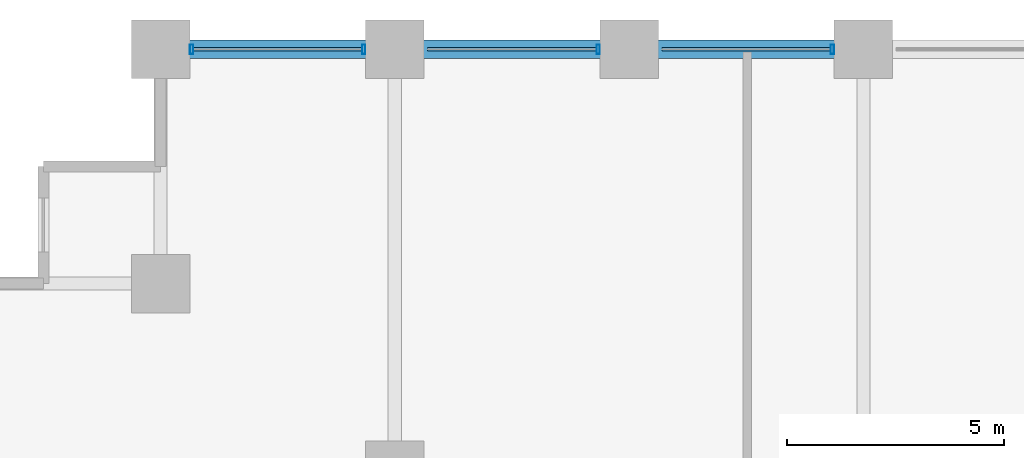
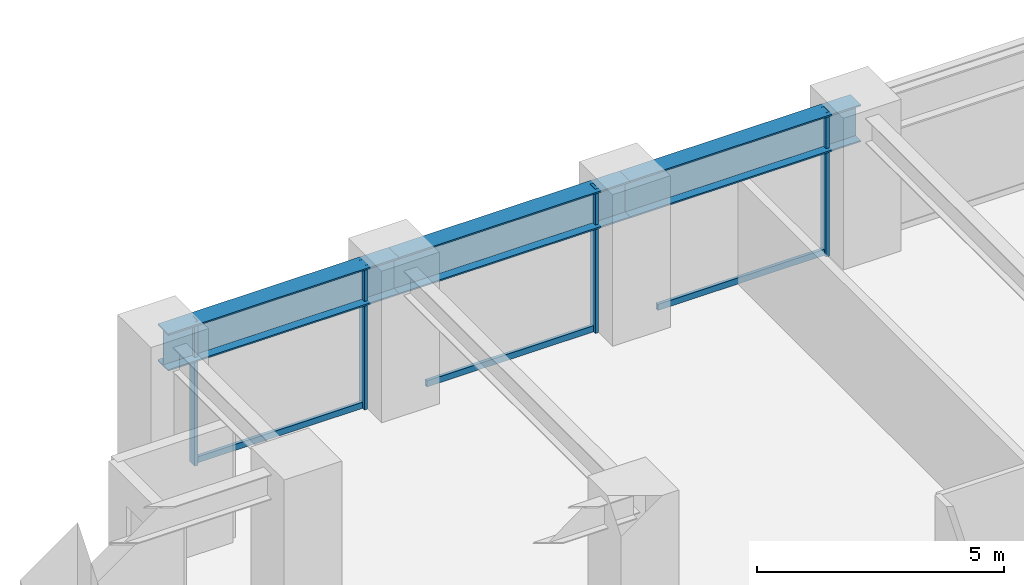
# One storey, part 12 of 25: 7 members, 3 beams, 1 element without a shape of its own.
"""IFC4 building model written with IfcOpenShell, lengths in metres."""

from ifc_helpers import new_model, si_unit, direction, frame, origin, origin_2d, place, context, subcontext, project, spatial, hollow_rectangle, i_section, extrude, material, layer, layer_set, material_profile, profile_set, type_object, element, aggregate, save


model = new_model("IFC4")

# Units and contexts
model_context = context("Model", 3, precision=1e-05, world=origin(), true_north=direction((0.0, 1.0)))
body_context = subcontext(model_context, "Body", "Model", "MODEL_VIEW")
ifc_project = project(units=[si_unit("LENGTHUNIT", "METRE"), si_unit("AREAUNIT", "SQUARE_METRE"), si_unit("VOLUMEUNIT", "CUBIC_METRE"), si_unit("PLANEANGLEUNIT", "RADIAN"), si_unit("MASSUNIT", "GRAM", prefix="KILO")], contexts=[model_context])

# Site, building, storey
site_placement = place(None, origin())
site = spatial("IfcSite", under=ifc_project, at=site_placement, CompositionType="ELEMENT")
building_placement = place(site_placement, origin())
building = spatial("IfcBuilding", under=site, at=building_placement, Name="Surkhivell Harbour Commons", CompositionType="ELEMENT")
storey_placement = place(building_placement, frame((0.0, 0.0, 41.25)))
storey = spatial("IfcBuildingStorey", under=building, at=storey_placement, Name="L10", CompositionType="ELEMENT", Elevation=41.25)

# Beams
ifc_material_1 = material(Name="Steel S460", Category="steel")
ifc_material_profile_1 = material_profile(ifc_material_1, i_section(OverallWidth=0.419921875, OverallDepth=0.9208984375, WebThickness=0.021484375, FlangeThickness=0.03662109375, at=origin_2d()), Name="UB914x419x388")
ifc_profile_set_1 = profile_set([ifc_material_profile_1], Name="Steel S460")
beam_type = type_object("IfcBeamType", Name="BM-SPN-914A", PredefinedType="SPANDREL", material=ifc_profile_set_1)
beam_1_placement = place(storey_placement, frame((-27.0, 25.89990234375, 3.109619140625), z_axis=(1.0, 0.0, 0.0), x_axis=(0.0, 1.0, 0.0)))
element("IfcBeam", 1, at=beam_1_placement, inside=storey, type_object=beam_type, Name="L10 Tube Spandrel (-27.0,25.9)", PredefinedType="SPANDREL", context=body_context, shape_type="SweptSolid", body=[
    extrude(i_section(OverallWidth=0.419921875, OverallDepth=0.9208984375, WebThickness=0.021484375, FlangeThickness=0.03662109375, at=origin_2d()), origin(), (0.0, 0.0, 1.0), 5.39990234375),
])
beam_2_placement = place(storey_placement, frame((-21.60009765625, 25.89990234375, 3.109619140625), z_axis=(1.0, 0.0, 0.0), x_axis=(0.0, 1.0, 0.0)))
element("IfcBeam", 2, at=beam_2_placement, inside=storey, type_object=beam_type, Name="L10 Tube Spandrel (-21.6,25.9)", PredefinedType="SPANDREL", context=body_context, shape_type="SweptSolid", body=[
    extrude(i_section(OverallWidth=0.419921875, OverallDepth=0.9208984375, WebThickness=0.021484375, FlangeThickness=0.03662109375, at=origin_2d()), origin(), (0.0, 0.0, 1.0), 5.400146484375),
])
beam_3_placement = place(storey_placement, frame((-16.199951171875, 25.89990234375, 3.109619140625), z_axis=(1.0, 0.0, 0.0), x_axis=(0.0, 1.0, 0.0)))
element("IfcBeam", 3, at=beam_3_placement, inside=storey, type_object=beam_type, Name="L10 Tube Spandrel (-16.2,25.9)", PredefinedType="SPANDREL", context=body_context, shape_type="SweptSolid", body=[
    extrude(i_section(OverallWidth=0.419921875, OverallDepth=0.9208984375, WebThickness=0.021484375, FlangeThickness=0.03662109375, at=origin_2d()), origin(), (0.0, 0.0, 1.0), 5.39990234375),
])

# Curtain wall, members
ifc_material_2 = material(Name="Anodised pale-metal aluminium and insulated glazing", Category="aluminium")
ifc_layer = layer(ifc_material_2, 0.219970703125)
ifc_layer_set = layer_set([ifc_layer], Name="Anodised pale-metal aluminium and insulated glazing")
curtain_wall_type = type_object("IfcCurtainWallType", Name="CW-SYS-Z1", PredefinedType="NOTDEFINED", material=ifc_layer_set)
curtain_wall_placement = place(storey_placement, origin())
curtain_wall = element("IfcCurtainWall", 4, at=curtain_wall_placement, inside=storey, type_object=curtain_wall_type, Name="L10 Curtain Wall CW-L10-E07S2", PredefinedType="NOTDEFINED")
ifc_material_3 = material(Name="Anodised pale-metal aluminium alloy 6063-T6", Category="aluminium")
ifc_material_profile_2 = material_profile(ifc_material_3, hollow_rectangle(XDim=0.074951171875, YDim=0.219970703125, WallThickness=0.00390625, at=origin_2d()), Name="ALU-MULL-75x220")
ifc_profile_set_2 = profile_set([ifc_material_profile_2], Name="Anodised pale-metal aluminium alloy 6063-T6")
member_type_1 = type_object("IfcMemberType", Name="CWM-220", PredefinedType="MULLION", material=ifc_profile_set_2)
member_1_placement = place(storey_placement, frame((-11.514404296875, 25.89990234375, 0.0), z_axis=(0.0, 0.0, 1.0), x_axis=(-1.0, 0.0, 0.0)))
member_1 = element("IfcMember", 5, at=member_1_placement, type_object=member_type_1, Name="CW-Z1 mullion 2", PredefinedType="MULLION", context=body_context, shape_type="SweptSolid", body=[
    extrude(hollow_rectangle(XDim=0.074951171875, YDim=0.219970703125, WallThickness=0.00390625, at=origin_2d()), origin(), (0.0, 0.0, 1.0), 3.570068359375),
])
member_2_placement = place(storey_placement, frame((-16.91455078125, 25.89990234375, 0.0), z_axis=(0.0, 0.0, 1.0), x_axis=(-1.0, 0.0, 0.0)))
member_2 = element("IfcMember", 6, at=member_2_placement, type_object=member_type_1, Name="CW-Z1 mullion 3", PredefinedType="MULLION", context=body_context, shape_type="SweptSolid", body=[
    extrude(hollow_rectangle(XDim=0.074951171875, YDim=0.219970703125, WallThickness=0.00390625, at=origin_2d()), origin(), (0.0, 0.0, 1.0), 3.570068359375),
])
member_3_placement = place(storey_placement, frame((-22.314453125, 25.89990234375, 0.0), z_axis=(0.0, 0.0, 1.0), x_axis=(-1.0, 0.0, 0.0)))
member_3 = element("IfcMember", 7, at=member_3_placement, type_object=member_type_1, Name="CW-Z1 mullion 4", PredefinedType="MULLION", context=body_context, shape_type="SweptSolid", body=[
    extrude(hollow_rectangle(XDim=0.074951171875, YDim=0.219970703125, WallThickness=0.00390625, at=origin_2d()), origin(), (0.0, 0.0, 1.0), 3.570068359375),
])
member_4_placement = place(storey_placement, frame((-26.285400390625, 25.89990234375, 0.0), z_axis=(0.0, 0.0, 1.0), x_axis=(-1.0, 0.0, 0.0)))
member_4 = element("IfcMember", 8, at=member_4_placement, type_object=member_type_1, Name="CW-Z1 mullion 5", PredefinedType="MULLION", context=body_context, shape_type="SweptSolid", body=[
    extrude(hollow_rectangle(XDim=0.074951171875, YDim=0.219970703125, WallThickness=0.00390625, at=origin_2d()), origin(), (0.0, 0.0, 1.0), 3.570068359375),
])
ifc_material_profile_3 = material_profile(ifc_material_3, hollow_rectangle(XDim=0.074951171875, YDim=0.14990234375, WallThickness=0.00341796875, at=origin_2d()), Name="ALU-TRAN-75x150")
ifc_profile_set_3 = profile_set([ifc_material_profile_3], Name="Anodised pale-metal aluminium alloy 6063-T6")
member_type_2 = type_object("IfcMemberType", Name="CWT-150", PredefinedType="USERDEFINED", material=ifc_profile_set_3)
member_5_placement = place(storey_placement, frame((-11.552001953125, 25.89990234375, 0.074951171875), z_axis=(-1.0, 0.0, 0.0), x_axis=(0.0, -1.0, 0.0)))
member_5 = element("IfcMember", 9, at=member_5_placement, type_object=member_type_2, Name="CW-Z1 transom 2.1", ObjectType="TRANSOM", PredefinedType="USERDEFINED", context=body_context, shape_type="SweptSolid", body=[
    extrude(hollow_rectangle(XDim=0.074951171875, YDim=0.14990234375, WallThickness=0.00341796875, at=origin_2d()), origin(), (0.0, 0.0, 1.0), 3.89599609375),
])
member_6_placement = place(storey_placement, frame((-16.951904296875, 25.89990234375, 0.074951171875), z_axis=(-1.0, 0.0, 0.0), x_axis=(0.0, -1.0, 0.0)))
member_6 = element("IfcMember", 10, at=member_6_placement, type_object=member_type_2, Name="CW-Z1 transom 3.1", ObjectType="TRANSOM", PredefinedType="USERDEFINED", context=body_context, shape_type="SweptSolid", body=[
    extrude(hollow_rectangle(XDim=0.074951171875, YDim=0.14990234375, WallThickness=0.00341796875, at=origin_2d()), origin(), (0.0, 0.0, 1.0), 3.89599609375),
])
member_7_placement = place(storey_placement, frame((-22.35205078125, 25.89990234375, 0.074951171875), z_axis=(-1.0, 0.0, 0.0), x_axis=(0.0, -1.0, 0.0)))
member_7 = element("IfcMember", 11, at=member_7_placement, type_object=member_type_2, Name="CW-Z1 transom 4.1", ObjectType="TRANSOM", PredefinedType="USERDEFINED", context=body_context, shape_type="SweptSolid", body=[
    extrude(hollow_rectangle(XDim=0.074951171875, YDim=0.14990234375, WallThickness=0.00341796875, at=origin_2d()), origin(), (0.0, 0.0, 1.0), 3.89599609375),
])
aggregate(curtain_wall, [member_1, member_5, member_2, member_6, member_3, member_4, member_7])

save(model, "model.ifc")
